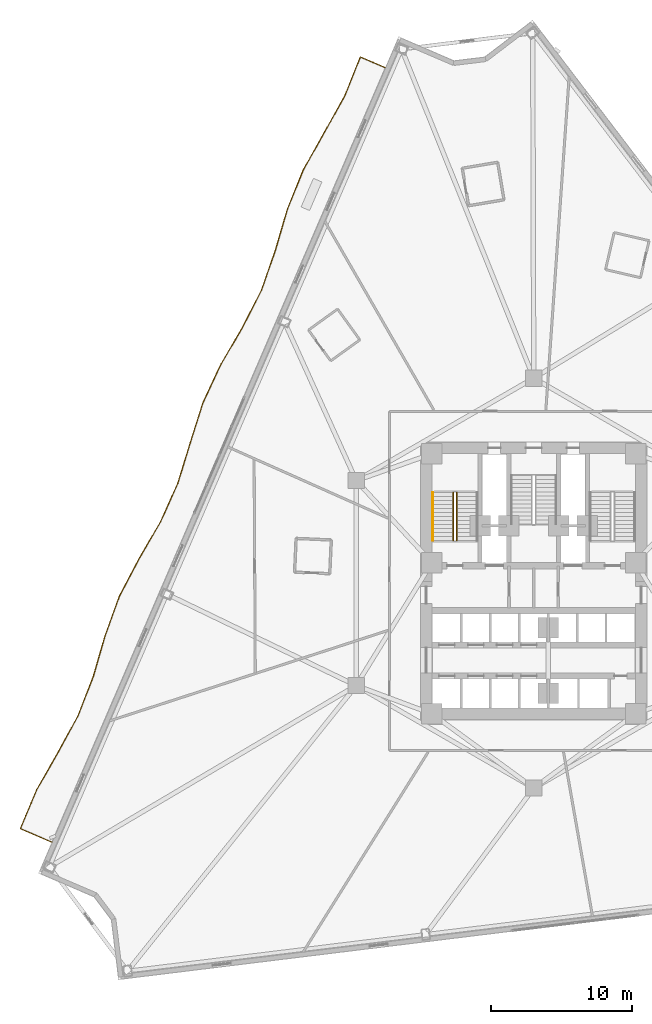
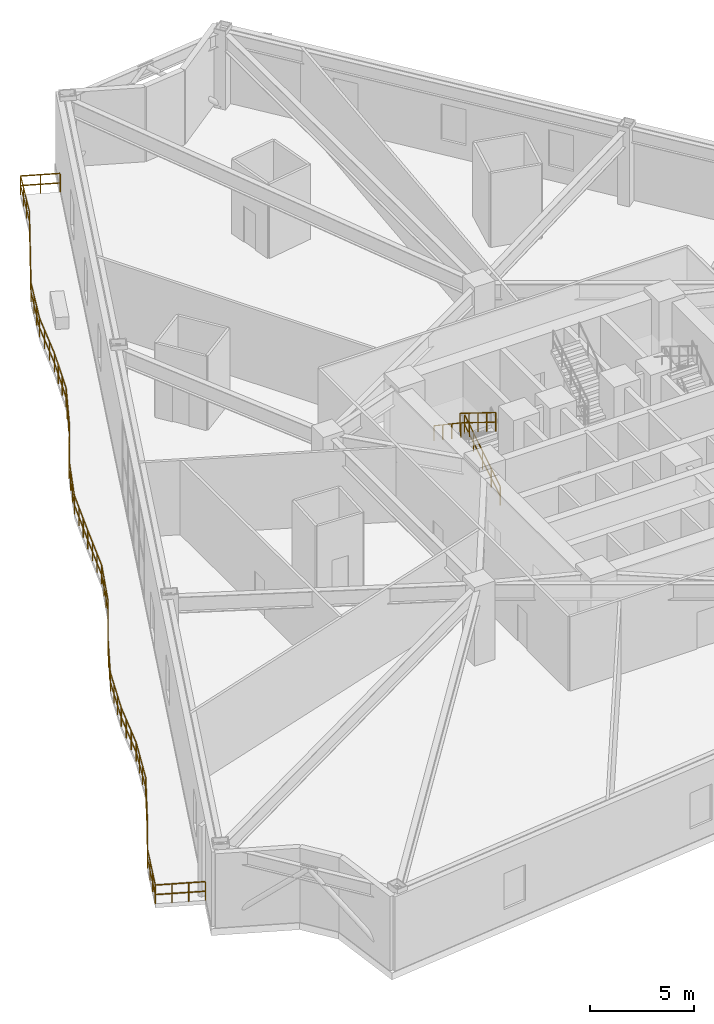
# One storey, part 19 of 21: 4 railings.
"""IFC4 building model written with IfcOpenShell, lengths in metres."""

from ifc_helpers import new_model, si_unit, direction, frame, origin, origin_2d, place, context, subcontext, project, spatial, rectangle, extrude, material, type_object, element, save


model = new_model("IFC4")

# Units and contexts
model_context = context("Model", 3, precision=1e-05, world=origin(), true_north=direction((0.0, 1.0)))
body_context = subcontext(model_context, "Body", "Model", "MODEL_VIEW")
ifc_project = project(units=[si_unit("LENGTHUNIT", "METRE"), si_unit("AREAUNIT", "SQUARE_METRE"), si_unit("VOLUMEUNIT", "CUBIC_METRE"), si_unit("PLANEANGLEUNIT", "RADIAN"), si_unit("MASSUNIT", "GRAM", prefix="KILO")], contexts=[model_context])

# Site, building, storey
site_placement = place(None, origin())
site = spatial("IfcSite", under=ifc_project, at=site_placement, CompositionType="ELEMENT")
building_placement = place(site_placement, origin())
building = spatial("IfcBuilding", under=site, at=building_placement, Name="Apsidion Concourse Tower", CompositionType="ELEMENT")
storey_placement = place(building_placement, frame((0.0, 0.0, 62.39990234375)))
storey = spatial("IfcBuildingStorey", under=building, at=storey_placement, Name="L13", CompositionType="ELEMENT", Elevation=62.39990234375)

# Railings
ifc_material = material(Name="Brushed stainless steel 316", Category="steel")
railing_type_1 = type_object("IfcRailingType", Name="RL-BAL-1120", PredefinedType="BALUSTRADE", material=ifc_material)
railing_1_placement = place(storey_placement, frame((-34.10107421875, -18.32958984375, 0.0)))
element("IfcRailing", 1, at=railing_1_placement, inside=storey, type_object=railing_type_1, Name="L13 Face 1 Spiral Terrace Balustrade", PredefinedType="BALUSTRADE", context=body_context, shape_type="SweptSolid", body=[
    extrude(rectangle(XDim=0.048095703125, YDim=0.048095703125, at=origin_2d()), frame((0.0, 0.0, 1.09619140625), z_axis=(-0.918522604963, 0.395368466334, 0.0), x_axis=(-0.395368466334, -0.918522604963, 0.0)), (0.0, 0.0, 1.0), 2.418701171875),
    extrude(rectangle(XDim=0.048095703125, YDim=0.048095703125, at=origin_2d()), frame((0.0, 0.0, 0.5361328125), z_axis=(-0.918522604963, 0.395368466334, 0.0), x_axis=(-0.395368466334, -0.918522604963, 0.0)), (0.0, 0.0, 1.0), 2.418701171875),
    extrude(rectangle(XDim=0.048095703125, YDim=0.048095703125, at=origin_2d()), frame((-2.2216796875, 0.956298828125, 1.09619140625), z_axis=(0.387855752392, 0.921720085132, 0.0), x_axis=(-0.921720085132, 0.387855752392, 0.0)), (0.0, 0.0, 1.0), 2.98291015625),
    extrude(rectangle(XDim=0.048095703125, YDim=0.048095703125, at=origin_2d()), frame((-2.2216796875, 0.956298828125, 0.5361328125), z_axis=(0.387855752392, 0.921720085132, 0.0), x_axis=(-0.921720085132, 0.387855752392, 0.0)), (0.0, 0.0, 1.0), 2.98291015625),
    extrude(rectangle(XDim=0.048095703125, YDim=0.048095703125, at=origin_2d()), frame((-1.064697265625, 3.705810546875, 1.09619140625), z_axis=(0.495192607223, 0.868783219078, 0.0), x_axis=(-0.868783219078, 0.495192607223, 0.0)), (0.0, 0.0, 1.0), 3.00146484375),
    extrude(rectangle(XDim=0.048095703125, YDim=0.048095703125, at=origin_2d()), frame((-1.064697265625, 3.705810546875, 0.5361328125), z_axis=(0.495192607223, 0.868783219078, 0.0), x_axis=(-0.868783219078, 0.495192607223, 0.0)), (0.0, 0.0, 1.0), 3.00146484375),
    extrude(rectangle(XDim=0.048095703125, YDim=0.048095703125, at=origin_2d()), frame((0.421630859375, 6.3134765625, 1.09619140625), z_axis=(0.480723491399, 0.876872239735, 0.0), x_axis=(-0.876872239735, 0.480723491399, 0.0)), (0.0, 0.0, 1.0), 2.996337890625),
    extrude(rectangle(XDim=0.048095703125, YDim=0.048095703125, at=origin_2d()), frame((0.421630859375, 6.3134765625, 0.5361328125), z_axis=(0.480723491399, 0.876872239735, 0.0), x_axis=(-0.876872239735, 0.480723491399, 0.0)), (0.0, 0.0, 1.0), 2.996337890625),
    extrude(rectangle(XDim=0.048095703125, YDim=0.048095703125, at=origin_2d()), frame((1.862060546875, 8.94091796875, 1.09619140625), z_axis=(0.360408982639, 0.932794385292, 0.0), x_axis=(-0.932794385292, 0.360408982639, 0.0)), (0.0, 0.0, 1.0), 2.9853515625),
    extrude(rectangle(XDim=0.048095703125, YDim=0.048095703125, at=origin_2d()), frame((1.862060546875, 8.94091796875, 0.5361328125), z_axis=(0.360408982639, 0.932794385292, 0.0), x_axis=(-0.932794385292, 0.360408982639, 0.0)), (0.0, 0.0, 1.0), 2.9853515625),
    extrude(rectangle(XDim=0.048095703125, YDim=0.048095703125, at=origin_2d()), frame((2.93798828125, 11.7255859375, 1.09619140625), z_axis=(0.278677288356, 0.960384802542, 0.0), x_axis=(-0.960384802542, 0.278677288356, 0.0)), (0.0, 0.0, 1.0), 3.005859375),
    extrude(rectangle(XDim=0.048095703125, YDim=0.048095703125, at=origin_2d()), frame((2.93798828125, 11.7255859375, 0.5361328125), z_axis=(0.278677288356, 0.960384802542, 0.0), x_axis=(-0.960384802542, 0.278677288356, 0.0)), (0.0, 0.0, 1.0), 3.005859375),
    extrude(rectangle(XDim=0.048095703125, YDim=0.048095703125, at=origin_2d()), frame((3.775634765625, 14.6123046875, 1.09619140625), z_axis=(0.340463501303, 0.940257732901, 0.0), x_axis=(-0.940257732901, 0.340463501303, 0.0)), (0.0, 0.0, 1.0), 2.988037109375),
    extrude(rectangle(XDim=0.048095703125, YDim=0.048095703125, at=origin_2d()), frame((3.775634765625, 14.6123046875, 0.5361328125), z_axis=(0.340463501303, 0.940257732901, 0.0), x_axis=(-0.940257732901, 0.340463501303, 0.0)), (0.0, 0.0, 1.0), 2.988037109375),
    extrude(rectangle(XDim=0.048095703125, YDim=0.048095703125, at=origin_2d()), frame((4.79296875, 17.421875, 1.09619140625), z_axis=(0.466267550759, 0.884643753784, 0.0), x_axis=(-0.884643753784, 0.466267550759, 0.0)), (0.0, 0.0, 1.0), 2.992431640625),
    extrude(rectangle(XDim=0.048095703125, YDim=0.048095703125, at=origin_2d()), frame((4.79296875, 17.421875, 0.5361328125), z_axis=(0.466267550759, 0.884643753784, 0.0), x_axis=(-0.884643753784, 0.466267550759, 0.0)), (0.0, 0.0, 1.0), 2.992431640625),
    extrude(rectangle(XDim=0.048095703125, YDim=0.048095703125, at=origin_2d()), frame((6.188232421875, 20.069091796875, 1.09619140625), z_axis=(0.502435424847, 0.864614737243, 0.0), x_axis=(-0.864614737243, 0.502435424847, 0.0)), (0.0, 0.0, 1.0), 3.00439453125),
    extrude(rectangle(XDim=0.048095703125, YDim=0.048095703125, at=origin_2d()), frame((6.188232421875, 20.069091796875, 0.5361328125), z_axis=(0.502435424847, 0.864614737243, 0.0), x_axis=(-0.864614737243, 0.502435424847, 0.0)), (0.0, 0.0, 1.0), 3.00439453125),
    extrude(rectangle(XDim=0.048095703125, YDim=0.048095703125, at=origin_2d()), frame((7.69775390625, 22.666748046875, 1.09619140625), z_axis=(0.409006559996, 0.91253144268, 0.0), x_axis=(-0.91253144268, 0.409006559996, 0.0)), (0.0, 0.0, 1.0), 2.9833984375),
    extrude(rectangle(XDim=0.048095703125, YDim=0.048095703125, at=origin_2d()), frame((7.69775390625, 22.666748046875, 0.5361328125), z_axis=(0.409006559996, 0.91253144268, 0.0), x_axis=(-0.91253144268, 0.409006559996, 0.0)), (0.0, 0.0, 1.0), 2.9833984375),
    extrude(rectangle(XDim=0.048095703125, YDim=0.048095703125, at=origin_2d()), frame((8.91796875, 25.38916015625, 1.09619140625), z_axis=(0.293754183825, 0.955880996508, 0.0), x_axis=(-0.955880996508, 0.293754183825, 0.0)), (0.0, 0.0, 1.0), 3.000244140625),
    extrude(rectangle(XDim=0.048095703125, YDim=0.048095703125, at=origin_2d()), frame((8.91796875, 25.38916015625, 0.5361328125), z_axis=(0.293754183825, 0.955880996508, 0.0), x_axis=(-0.955880996508, 0.293754183825, 0.0)), (0.0, 0.0, 1.0), 3.000244140625),
    extrude(rectangle(XDim=0.048095703125, YDim=0.048095703125, at=origin_2d()), frame((9.79931640625, 28.257080078125, 1.09619140625), z_axis=(0.302538031588, 0.953137314054, 0.0), x_axis=(-0.953137314054, 0.302538031588, 0.0)), (0.0, 0.0, 1.0), 2.997802734375),
    extrude(rectangle(XDim=0.048095703125, YDim=0.048095703125, at=origin_2d()), frame((9.79931640625, 28.257080078125, 0.5361328125), z_axis=(0.302538031588, 0.953137314054, 0.0), x_axis=(-0.953137314054, 0.302538031588, 0.0)), (0.0, 0.0, 1.0), 2.997802734375),
    extrude(rectangle(XDim=0.048095703125, YDim=0.048095703125, at=origin_2d()), frame((10.706298828125, 31.114501953125, 1.09619140625), z_axis=(0.424027201219, 0.905649453501, 0.0), x_axis=(-0.905649453501, 0.424027201219, 0.0)), (0.0, 0.0, 1.0), 2.984130859375),
    extrude(rectangle(XDim=0.048095703125, YDim=0.048095703125, at=origin_2d()), frame((10.706298828125, 31.114501953125, 0.5361328125), z_axis=(0.424027201219, 0.905649453501, 0.0), x_axis=(-0.905649453501, 0.424027201219, 0.0)), (0.0, 0.0, 1.0), 2.984130859375),
    extrude(rectangle(XDim=0.048095703125, YDim=0.048095703125, at=origin_2d()), frame((11.9716796875, 33.817138671875, 1.09619140625), z_axis=(0.50542557274, 0.862870204851, 0.0), x_axis=(-0.862870204851, 0.50542557274, 0.0)), (0.0, 0.0, 1.0), 3.005859375),
    extrude(rectangle(XDim=0.048095703125, YDim=0.048095703125, at=origin_2d()), frame((11.9716796875, 33.817138671875, 0.5361328125), z_axis=(0.50542557274, 0.862870204851, 0.0), x_axis=(-0.862870204851, 0.50542557274, 0.0)), (0.0, 0.0, 1.0), 3.005859375),
    extrude(rectangle(XDim=0.048095703125, YDim=0.048095703125, at=origin_2d()), frame((13.490966796875, 36.410888671875, 1.09619140625), z_axis=(0.454126431327, 0.890937250524, 0.0), x_axis=(-0.890937250524, 0.454126431327, 0.0)), (0.0, 0.0, 1.0), 2.989013671875),
    extrude(rectangle(XDim=0.048095703125, YDim=0.048095703125, at=origin_2d()), frame((13.490966796875, 36.410888671875, 0.5361328125), z_axis=(0.454126431327, 0.890937250524, 0.0), x_axis=(-0.890937250524, 0.454126431327, 0.0)), (0.0, 0.0, 1.0), 2.989013671875),
    extrude(rectangle(XDim=0.048095703125, YDim=0.048095703125, at=origin_2d()), frame((14.848388671875, 39.073974609375, 1.09619140625), z_axis=(0.327079724414, 0.944996748077, 0.0), x_axis=(-0.944996748077, 0.327079724414, 0.0)), (0.0, 0.0, 1.0), 2.990966796875),
    extrude(rectangle(XDim=0.048095703125, YDim=0.048095703125, at=origin_2d()), frame((14.848388671875, 39.073974609375, 0.5361328125), z_axis=(0.327079724414, 0.944996748077, 0.0), x_axis=(-0.944996748077, 0.327079724414, 0.0)), (0.0, 0.0, 1.0), 2.990966796875),
    extrude(rectangle(XDim=0.048095703125, YDim=0.048095703125, at=origin_2d()), frame((15.82666015625, 41.900390625, 1.09619140625), z_axis=(0.28126011598, 0.959631568446, 0.0), x_axis=(-0.959631568446, 0.28126011598, 0.0)), (0.0, 0.0, 1.0), 3.005126953125),
    extrude(rectangle(XDim=0.048095703125, YDim=0.048095703125, at=origin_2d()), frame((15.82666015625, 41.900390625, 0.5361328125), z_axis=(0.28126011598, 0.959631568446, 0.0), x_axis=(-0.959631568446, 0.28126011598, 0.0)), (0.0, 0.0, 1.0), 3.005126953125),
    extrude(rectangle(XDim=0.048095703125, YDim=0.048095703125, at=origin_2d()), frame((16.671875, 44.7841796875, 1.09619140625), z_axis=(0.375520854009, 0.926813944761, 0.0), x_axis=(-0.926813944761, 0.375520854009, 0.0)), (0.0, 0.0, 1.0), 2.9833984375),
    extrude(rectangle(XDim=0.048095703125, YDim=0.048095703125, at=origin_2d()), frame((16.671875, 44.7841796875, 0.5361328125), z_axis=(0.375520854009, 0.926813944761, 0.0), x_axis=(-0.926813944761, 0.375520854009, 0.0)), (0.0, 0.0, 1.0), 2.9833984375),
    extrude(rectangle(XDim=0.048095703125, YDim=0.048095703125, at=origin_2d()), frame((17.792236328125, 47.54931640625, 1.09619140625), z_axis=(0.489418576746, 0.872048999045, 0.0), x_axis=(-0.872048999045, 0.489418576746, 0.0)), (0.0, 0.0, 1.0), 2.99951171875),
    extrude(rectangle(XDim=0.048095703125, YDim=0.048095703125, at=origin_2d()), frame((17.792236328125, 47.54931640625, 0.5361328125), z_axis=(0.489418576746, 0.872048999045, 0.0), x_axis=(-0.872048999045, 0.489418576746, 0.0)), (0.0, 0.0, 1.0), 2.99951171875),
    extrude(rectangle(XDim=0.048095703125, YDim=0.048095703125, at=origin_2d()), frame((19.26025390625, 50.1650390625, 1.09619140625), z_axis=(0.487901640528, 0.872898613339, 0.0), x_axis=(-0.872898613339, 0.487901640528, 0.0)), (0.0, 0.0, 1.0), 2.998779296875),
    extrude(rectangle(XDim=0.048095703125, YDim=0.048095703125, at=origin_2d()), frame((19.26025390625, 50.1650390625, 0.5361328125), z_axis=(0.487901640528, 0.872898613339, 0.0), x_axis=(-0.872898613339, 0.487901640528, 0.0)), (0.0, 0.0, 1.0), 2.998779296875),
    extrude(rectangle(XDim=0.048095703125, YDim=0.048095703125, at=origin_2d()), frame((20.723388671875, 52.78271484375, 1.09619140625), z_axis=(0.372434323056, 0.928058551499, 0.0), x_axis=(-0.928058551499, 0.372434323056, 0.0)), (0.0, 0.0, 1.0), 2.98388671875),
    extrude(rectangle(XDim=0.048095703125, YDim=0.048095703125, at=origin_2d()), frame((20.723388671875, 52.78271484375, 0.5361328125), z_axis=(0.372434323056, 0.928058551499, 0.0), x_axis=(-0.928058551499, 0.372434323056, 0.0)), (0.0, 0.0, 1.0), 2.98388671875),
    extrude(rectangle(XDim=0.048095703125, YDim=0.048095703125, at=origin_2d()), frame((21.834716796875, 55.552001953125, 1.09619140625), z_axis=(0.918516130253, -0.395383508085, 0.0), x_axis=(0.395383508085, 0.918516130253, 0.0)), (0.0, 0.0, 1.0), 1.9111328125),
    extrude(rectangle(XDim=0.048095703125, YDim=0.048095703125, at=origin_2d()), frame((21.834716796875, 55.552001953125, 0.5361328125), z_axis=(0.918516130253, -0.395383508085, 0.0), x_axis=(0.395383508085, 0.918516130253, 0.0)), (0.0, 0.0, 1.0), 1.9111328125),
    extrude(rectangle(XDim=0.0419921875, YDim=0.0419921875, at=origin_2d()), origin(), (0.0, 0.0, 1.0), 1.072021484375),
    extrude(rectangle(XDim=0.0419921875, YDim=0.0419921875, at=origin_2d()), frame((-0.740478515625, 0.31884765625, 0.0)), (0.0, 0.0, 1.0), 1.072021484375),
    extrude(rectangle(XDim=0.0419921875, YDim=0.0419921875, at=origin_2d()), frame((-1.481201171875, 0.637451171875, 0.0)), (0.0, 0.0, 1.0), 1.072021484375),
    extrude(rectangle(XDim=0.0419921875, YDim=0.0419921875, at=origin_2d()), frame((-2.2216796875, 0.956298828125, 0.0)), (0.0, 0.0, 1.0), 1.072021484375),
    extrude(rectangle(XDim=0.0419921875, YDim=0.0419921875, at=origin_2d()), frame((-1.8359375, 1.872802734375, 0.0)), (0.0, 0.0, 1.0), 1.072021484375),
    extrude(rectangle(XDim=0.0419921875, YDim=0.0419921875, at=origin_2d()), frame((-1.450439453125, 2.789306640625, 0.0)), (0.0, 0.0, 1.0), 1.072021484375),
    extrude(rectangle(XDim=0.0419921875, YDim=0.0419921875, at=origin_2d()), frame((-1.064697265625, 3.705810546875, 0.0)), (0.0, 0.0, 1.0), 1.072021484375),
    extrude(rectangle(XDim=0.0419921875, YDim=0.0419921875, at=origin_2d()), frame((-0.5693359375, 4.574951171875, 0.0)), (0.0, 0.0, 1.0), 1.072021484375),
    extrude(rectangle(XDim=0.0419921875, YDim=0.0419921875, at=origin_2d()), frame((-0.07373046875, 5.4443359375, 0.0)), (0.0, 0.0, 1.0), 1.072021484375),
    extrude(rectangle(XDim=0.0419921875, YDim=0.0419921875, at=origin_2d()), frame((0.421630859375, 6.3134765625, 0.0)), (0.0, 0.0, 1.0), 1.072021484375),
    extrude(rectangle(XDim=0.0419921875, YDim=0.0419921875, at=origin_2d()), frame((0.90185546875, 7.189208984375, 0.0)), (0.0, 0.0, 1.0), 1.072021484375),
    extrude(rectangle(XDim=0.0419921875, YDim=0.0419921875, at=origin_2d()), frame((1.3818359375, 8.065185546875, 0.0)), (0.0, 0.0, 1.0), 1.072021484375),
    extrude(rectangle(XDim=0.0419921875, YDim=0.0419921875, at=origin_2d()), frame((1.862060546875, 8.94091796875, 0.0)), (0.0, 0.0, 1.0), 1.072021484375),
    extrude(rectangle(XDim=0.0419921875, YDim=0.0419921875, at=origin_2d()), frame((2.220703125, 9.869140625, 0.0)), (0.0, 0.0, 1.0), 1.072021484375),
    extrude(rectangle(XDim=0.0419921875, YDim=0.0419921875, at=origin_2d()), frame((2.579345703125, 10.79736328125, 0.0)), (0.0, 0.0, 1.0), 1.072021484375),
    extrude(rectangle(XDim=0.0419921875, YDim=0.0419921875, at=origin_2d()), frame((2.93798828125, 11.7255859375, 0.0)), (0.0, 0.0, 1.0), 1.072021484375),
    extrude(rectangle(XDim=0.0419921875, YDim=0.0419921875, at=origin_2d()), frame((3.21728515625, 12.687744140625, 0.0)), (0.0, 0.0, 1.0), 1.072021484375),
    extrude(rectangle(XDim=0.0419921875, YDim=0.0419921875, at=origin_2d()), frame((3.496337890625, 13.650146484375, 0.0)), (0.0, 0.0, 1.0), 1.072021484375),
    extrude(rectangle(XDim=0.0419921875, YDim=0.0419921875, at=origin_2d()), frame((3.775634765625, 14.6123046875, 0.0)), (0.0, 0.0, 1.0), 1.072021484375),
    extrude(rectangle(XDim=0.0419921875, YDim=0.0419921875, at=origin_2d()), frame((4.11474609375, 15.548828125, 0.0)), (0.0, 0.0, 1.0), 1.072021484375),
    extrude(rectangle(XDim=0.0419921875, YDim=0.0419921875, at=origin_2d()), frame((4.453857421875, 16.4853515625, 0.0)), (0.0, 0.0, 1.0), 1.072021484375),
    extrude(rectangle(XDim=0.0419921875, YDim=0.0419921875, at=origin_2d()), frame((4.79296875, 17.421875, 0.0)), (0.0, 0.0, 1.0), 1.072021484375),
    extrude(rectangle(XDim=0.0419921875, YDim=0.0419921875, at=origin_2d()), frame((5.258056640625, 18.30419921875, 0.0)), (0.0, 0.0, 1.0), 1.072021484375),
    extrude(rectangle(XDim=0.0419921875, YDim=0.0419921875, at=origin_2d()), frame((5.72314453125, 19.186767578125, 0.0)), (0.0, 0.0, 1.0), 1.072021484375),
    extrude(rectangle(XDim=0.0419921875, YDim=0.0419921875, at=origin_2d()), frame((6.188232421875, 20.069091796875, 0.0)), (0.0, 0.0, 1.0), 1.072021484375),
    extrude(rectangle(XDim=0.0419921875, YDim=0.0419921875, at=origin_2d()), frame((6.69140625, 20.93505859375, 0.0)), (0.0, 0.0, 1.0), 1.072021484375),
    extrude(rectangle(XDim=0.0419921875, YDim=0.0419921875, at=origin_2d()), frame((7.194580078125, 21.80078125, 0.0)), (0.0, 0.0, 1.0), 1.072021484375),
    extrude(rectangle(XDim=0.0419921875, YDim=0.0419921875, at=origin_2d()), frame((7.69775390625, 22.666748046875, 0.0)), (0.0, 0.0, 1.0), 1.072021484375),
    extrude(rectangle(XDim=0.0419921875, YDim=0.0419921875, at=origin_2d()), frame((8.1044921875, 23.57421875, 0.0)), (0.0, 0.0, 1.0), 1.072021484375),
    extrude(rectangle(XDim=0.0419921875, YDim=0.0419921875, at=origin_2d()), frame((8.51123046875, 24.481689453125, 0.0)), (0.0, 0.0, 1.0), 1.072021484375),
    extrude(rectangle(XDim=0.0419921875, YDim=0.0419921875, at=origin_2d()), frame((8.91796875, 25.38916015625, 0.0)), (0.0, 0.0, 1.0), 1.072021484375),
    extrude(rectangle(XDim=0.0419921875, YDim=0.0419921875, at=origin_2d()), frame((9.211669921875, 26.34521484375, 0.0)), (0.0, 0.0, 1.0), 1.072021484375),
    extrude(rectangle(XDim=0.0419921875, YDim=0.0419921875, at=origin_2d()), frame((9.505615234375, 27.301025390625, 0.0)), (0.0, 0.0, 1.0), 1.072021484375),
    extrude(rectangle(XDim=0.0419921875, YDim=0.0419921875, at=origin_2d()), frame((9.79931640625, 28.257080078125, 0.0)), (0.0, 0.0, 1.0), 1.072021484375),
    extrude(rectangle(XDim=0.0419921875, YDim=0.0419921875, at=origin_2d()), frame((10.1015625, 29.20947265625, 0.0)), (0.0, 0.0, 1.0), 1.072021484375),
    extrude(rectangle(XDim=0.0419921875, YDim=0.0419921875, at=origin_2d()), frame((10.404052734375, 30.162109375, 0.0)), (0.0, 0.0, 1.0), 1.072021484375),
    extrude(rectangle(XDim=0.0419921875, YDim=0.0419921875, at=origin_2d()), frame((10.706298828125, 31.114501953125, 0.0)), (0.0, 0.0, 1.0), 1.072021484375),
    extrude(rectangle(XDim=0.0419921875, YDim=0.0419921875, at=origin_2d()), frame((11.128173828125, 32.015380859375, 0.0)), (0.0, 0.0, 1.0), 1.072021484375),
    extrude(rectangle(XDim=0.0419921875, YDim=0.0419921875, at=origin_2d()), frame((11.5498046875, 32.916259765625, 0.0)), (0.0, 0.0, 1.0), 1.072021484375),
    extrude(rectangle(XDim=0.0419921875, YDim=0.0419921875, at=origin_2d()), frame((11.9716796875, 33.817138671875, 0.0)), (0.0, 0.0, 1.0), 1.072021484375),
    extrude(rectangle(XDim=0.0419921875, YDim=0.0419921875, at=origin_2d()), frame((12.47802734375, 34.681640625, 0.0)), (0.0, 0.0, 1.0), 1.072021484375),
    extrude(rectangle(XDim=0.0419921875, YDim=0.0419921875, at=origin_2d()), frame((12.984619140625, 35.54638671875, 0.0)), (0.0, 0.0, 1.0), 1.072021484375),
    extrude(rectangle(XDim=0.0419921875, YDim=0.0419921875, at=origin_2d()), frame((13.490966796875, 36.410888671875, 0.0)), (0.0, 0.0, 1.0), 1.072021484375),
    extrude(rectangle(XDim=0.0419921875, YDim=0.0419921875, at=origin_2d()), frame((13.943359375, 37.298583984375, 0.0)), (0.0, 0.0, 1.0), 1.072021484375),
    extrude(rectangle(XDim=0.0419921875, YDim=0.0419921875, at=origin_2d()), frame((14.39599609375, 38.186279296875, 0.0)), (0.0, 0.0, 1.0), 1.072021484375),
    extrude(rectangle(XDim=0.0419921875, YDim=0.0419921875, at=origin_2d()), frame((14.848388671875, 39.073974609375, 0.0)), (0.0, 0.0, 1.0), 1.072021484375),
    extrude(rectangle(XDim=0.0419921875, YDim=0.0419921875, at=origin_2d()), frame((15.174560546875, 40.01611328125, 0.0)), (0.0, 0.0, 1.0), 1.072021484375),
    extrude(rectangle(XDim=0.0419921875, YDim=0.0419921875, at=origin_2d()), frame((15.50048828125, 40.958251953125, 0.0)), (0.0, 0.0, 1.0), 1.072021484375),
    extrude(rectangle(XDim=0.0419921875, YDim=0.0419921875, at=origin_2d()), frame((15.82666015625, 41.900390625, 0.0)), (0.0, 0.0, 1.0), 1.072021484375),
    extrude(rectangle(XDim=0.0419921875, YDim=0.0419921875, at=origin_2d()), frame((16.1083984375, 42.861572265625, 0.0)), (0.0, 0.0, 1.0), 1.072021484375),
    extrude(rectangle(XDim=0.0419921875, YDim=0.0419921875, at=origin_2d()), frame((16.39013671875, 43.822998046875, 0.0)), (0.0, 0.0, 1.0), 1.072021484375),
    extrude(rectangle(XDim=0.0419921875, YDim=0.0419921875, at=origin_2d()), frame((16.671875, 44.7841796875, 0.0)), (0.0, 0.0, 1.0), 1.072021484375),
    extrude(rectangle(XDim=0.0419921875, YDim=0.0419921875, at=origin_2d()), frame((17.04541015625, 45.705810546875, 0.0)), (0.0, 0.0, 1.0), 1.072021484375),
    extrude(rectangle(XDim=0.0419921875, YDim=0.0419921875, at=origin_2d()), frame((17.418701171875, 46.627685546875, 0.0)), (0.0, 0.0, 1.0), 1.072021484375),
    extrude(rectangle(XDim=0.0419921875, YDim=0.0419921875, at=origin_2d()), frame((17.792236328125, 47.54931640625, 0.0)), (0.0, 0.0, 1.0), 1.072021484375),
    extrude(rectangle(XDim=0.0419921875, YDim=0.0419921875, at=origin_2d()), frame((18.281494140625, 48.421142578125, 0.0)), (0.0, 0.0, 1.0), 1.072021484375),
    extrude(rectangle(XDim=0.0419921875, YDim=0.0419921875, at=origin_2d()), frame((18.77099609375, 49.293212890625, 0.0)), (0.0, 0.0, 1.0), 1.072021484375),
    extrude(rectangle(XDim=0.0419921875, YDim=0.0419921875, at=origin_2d()), frame((19.26025390625, 50.1650390625, 0.0)), (0.0, 0.0, 1.0), 1.072021484375),
    extrude(rectangle(XDim=0.0419921875, YDim=0.0419921875, at=origin_2d()), frame((19.748046875, 51.03759765625, 0.0)), (0.0, 0.0, 1.0), 1.072021484375),
    extrude(rectangle(XDim=0.0419921875, YDim=0.0419921875, at=origin_2d()), frame((20.235595703125, 51.91015625, 0.0)), (0.0, 0.0, 1.0), 1.072021484375),
    extrude(rectangle(XDim=0.0419921875, YDim=0.0419921875, at=origin_2d()), frame((20.723388671875, 52.78271484375, 0.0)), (0.0, 0.0, 1.0), 1.072021484375),
    extrude(rectangle(XDim=0.0419921875, YDim=0.0419921875, at=origin_2d()), frame((21.09375, 53.705810546875, 0.0)), (0.0, 0.0, 1.0), 1.072021484375),
    extrude(rectangle(XDim=0.0419921875, YDim=0.0419921875, at=origin_2d()), frame((21.46435546875, 54.62890625, 0.0)), (0.0, 0.0, 1.0), 1.072021484375),
    extrude(rectangle(XDim=0.0419921875, YDim=0.0419921875, at=origin_2d()), frame((21.834716796875, 55.552001953125, 0.0)), (0.0, 0.0, 1.0), 1.072021484375),
    extrude(rectangle(XDim=0.0419921875, YDim=0.0419921875, at=origin_2d()), frame((22.71240234375, 55.17431640625, 0.0)), (0.0, 0.0, 1.0), 1.072021484375),
    extrude(rectangle(XDim=0.0419921875, YDim=0.0419921875, at=origin_2d()), frame((23.590087890625, 54.79638671875, 0.0)), (0.0, 0.0, 1.0), 1.072021484375),
])
railing_type_2 = type_object("IfcRailingType", Name="RL-GUARD-1100", PredefinedType="GUARDRAIL", material=ifc_material)
railing_2_placement = place(storey_placement, frame((-5.449951171875, 3.0, 0.177001953125)))
element("IfcRailing", 2, at=railing_2_placement, inside=storey, type_object=railing_type_2, Name="L13 ST1 stair guard 1", PredefinedType="GUARDRAIL", context=body_context, shape_type="SweptSolid", body=[
    extrude(rectangle(XDim=0.048095703125, YDim=0.048095703125, at=origin_2d()), frame((0.0, 0.0, 1.09619140625), z_axis=(0.0, 0.849602680019, 0.527423251388), x_axis=(-1.0, 0.0, 0.0)), (0.0, 0.0, 1.0), 4.025390625),
    extrude(rectangle(XDim=0.048095703125, YDim=0.048095703125, at=origin_2d()), frame((0.0, 0.0, 0.5361328125), z_axis=(0.0, 0.849602680019, 0.527423251388), x_axis=(-1.0, 0.0, 0.0)), (0.0, 0.0, 1.0), 4.025390625),
    extrude(rectangle(XDim=0.0419921875, YDim=0.0419921875, at=origin_2d()), origin(), (0.0, 0.0, 1.0), 1.072021484375),
    extrude(rectangle(XDim=0.0419921875, YDim=0.0419921875, at=origin_2d()), frame((0.0, 0.85498046875, 0.53076171875)), (0.0, 0.0, 1.0), 1.072021484375),
    extrude(rectangle(XDim=0.0419921875, YDim=0.0419921875, at=origin_2d()), frame((0.0, 1.7099609375, 1.0615234375)), (0.0, 0.0, 1.0), 1.072021484375),
    extrude(rectangle(XDim=0.0419921875, YDim=0.0419921875, at=origin_2d()), frame((0.0, 2.56494140625, 1.59228515625)), (0.0, 0.0, 1.0), 1.072021484375),
    extrude(rectangle(XDim=0.0419921875, YDim=0.0419921875, at=origin_2d()), frame((0.0, 3.419921875, 2.123046875)), (0.0, 0.0, 1.0), 1.072021484375),
])
railing_3_placement = place(storey_placement, frame((-5.699951171875, 6.419921875, 2.47705078125)))
element("IfcRailing", 3, at=railing_3_placement, inside=storey, type_object=railing_type_2, Name="L13 ST1 stair guard 3", PredefinedType="GUARDRAIL", context=body_context, shape_type="SweptSolid", body=[
    extrude(rectangle(XDim=0.048095703125, YDim=0.048095703125, at=origin_2d()), frame((0.0, 0.0, 1.09619140625), z_axis=(0.0, -0.849602680019, 0.527423251388), x_axis=(1.0, 0.0, 0.0)), (0.0, 0.0, 1.0), 4.025390625),
    extrude(rectangle(XDim=0.048095703125, YDim=0.048095703125, at=origin_2d()), frame((0.0, 0.0, 0.5361328125), z_axis=(0.0, -0.849602680019, 0.527423251388), x_axis=(1.0, 0.0, 0.0)), (0.0, 0.0, 1.0), 4.025390625),
    extrude(rectangle(XDim=0.0419921875, YDim=0.0419921875, at=origin_2d()), origin(), (0.0, 0.0, 1.0), 1.072021484375),
    extrude(rectangle(XDim=0.0419921875, YDim=0.0419921875, at=origin_2d()), frame((0.0, -0.85498046875, 0.53076171875)), (0.0, 0.0, 1.0), 1.072021484375),
    extrude(rectangle(XDim=0.0419921875, YDim=0.0419921875, at=origin_2d()), frame((0.0, -1.7099609375, 1.0615234375)), (0.0, 0.0, 1.0), 1.072021484375),
    extrude(rectangle(XDim=0.0419921875, YDim=0.0419921875, at=origin_2d()), frame((0.0, -2.56494140625, 1.59228515625)), (0.0, 0.0, 1.0), 1.072021484375),
    extrude(rectangle(XDim=0.0419921875, YDim=0.0419921875, at=origin_2d()), frame((0.0, -3.419921875, 2.123046875)), (0.0, 0.0, 1.0), 1.072021484375),
])
railing_type_3 = type_object("IfcRailingType", Name="RL-HAND-900", PredefinedType="HANDRAIL", material=ifc_material)
railing_4_placement = place(storey_placement, frame((-7.14990234375, 6.419921875, 2.47705078125)))
element("IfcRailing", 4, at=railing_4_placement, inside=storey, type_object=railing_type_3, Name="L13 ST1 stair handrail 2", PredefinedType="HANDRAIL", context=body_context, shape_type="SweptSolid", body=[
    extrude(rectangle(XDim=0.048095703125, YDim=0.048095703125, at=origin_2d()), frame((0.0, 0.0, 0.8759765625), z_axis=(0.0, -0.8297924358, 0.55807214004), x_axis=(1.0, 0.0, 0.0)), (0.0, 0.0, 1.0), 4.121337890625),
    extrude(rectangle(XDim=0.0419921875, YDim=0.0419921875, at=origin_2d()), origin(), (0.0, 0.0, 1.0), 0.851806640625),
    extrude(rectangle(XDim=0.0419921875, YDim=0.0419921875, at=origin_2d()), frame((0.0, -0.85498046875, 0.574951171875)), (0.0, 0.0, 1.0), 0.851806640625),
    extrude(rectangle(XDim=0.0419921875, YDim=0.0419921875, at=origin_2d()), frame((0.0, -1.7099609375, 1.14990234375)), (0.0, 0.0, 1.0), 0.851806640625),
    extrude(rectangle(XDim=0.0419921875, YDim=0.0419921875, at=origin_2d()), frame((0.0, -2.56494140625, 1.72509765625)), (0.0, 0.0, 1.0), 0.851806640625),
    extrude(rectangle(XDim=0.0419921875, YDim=0.0419921875, at=origin_2d()), frame((0.0, -3.419921875, 2.300048828125)), (0.0, 0.0, 1.0), 0.851806640625),
])

save(model, "model.ifc")
